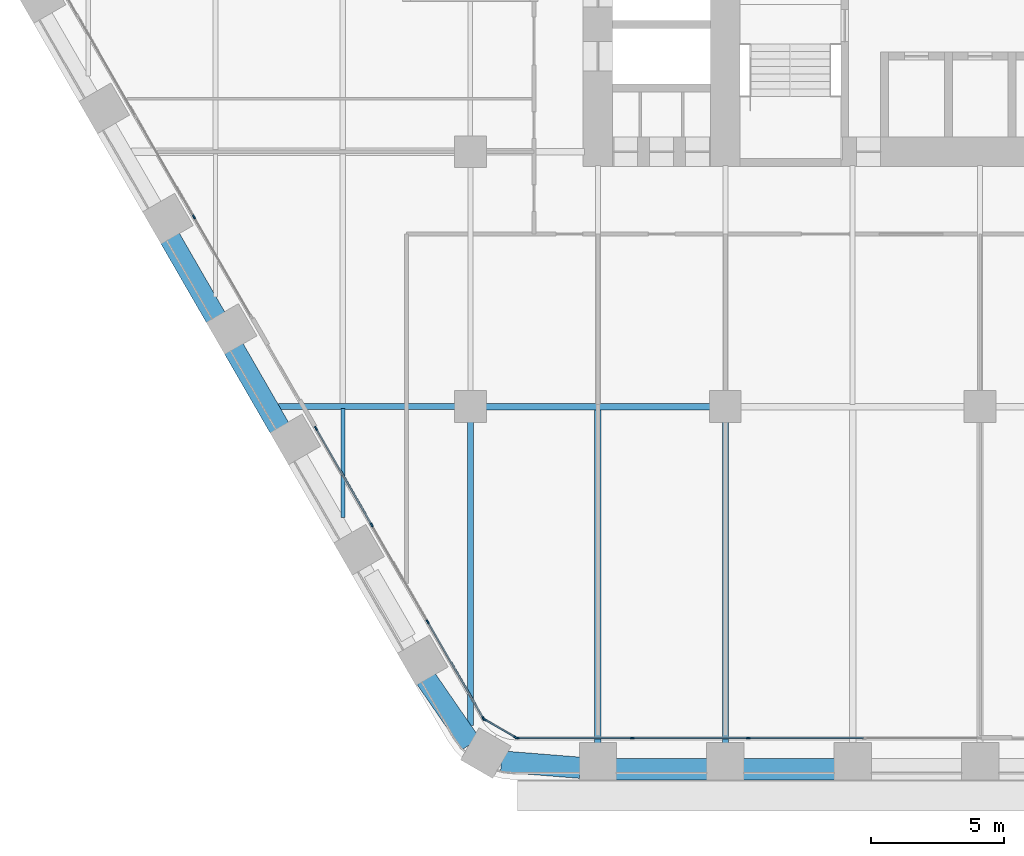
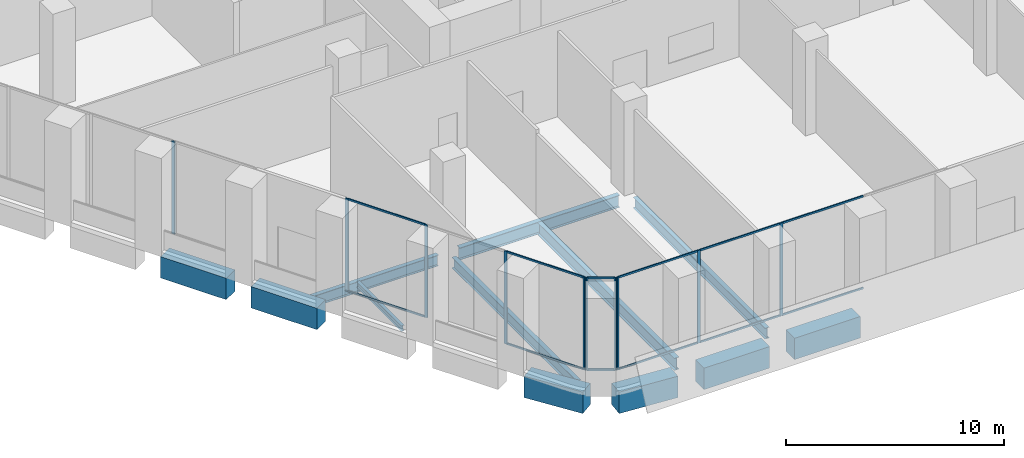
# One storey, part 2 of 29: 22 members, 12 beams, 4 elements without a shape of their own.
"""IFC4 building model written with IfcOpenShell, lengths in metres."""

from ifc_helpers import new_model, si_unit, direction, frame, origin, origin_2d, place, context, subcontext, project, spatial, rectangle, i_section, extrude, material, material_profile, profile_set, type_object, element, aggregate, save


model = new_model("IFC4")

# Units and contexts
model_context = context("Model", 3, precision=1e-05, world=origin(), true_north=direction((0.0, 1.0)))
body_context = subcontext(model_context, "Body", "Model", "MODEL_VIEW")
ifc_project = project(units=[si_unit("LENGTHUNIT", "METRE"), si_unit("AREAUNIT", "SQUARE_METRE"), si_unit("VOLUMEUNIT", "CUBIC_METRE"), si_unit("PLANEANGLEUNIT", "RADIAN"), si_unit("MASSUNIT", "GRAM", prefix="KILO")], contexts=[model_context])

# Site, building, storey
site_placement = place(None, origin())
site = spatial("IfcSite", under=ifc_project, at=site_placement, CompositionType="ELEMENT")
building_placement = place(site_placement, origin())
building = spatial("IfcBuilding", under=site, at=building_placement, Name="Kolab Exchange Tower", CompositionType="ELEMENT")
storey_placement = place(building_placement, frame((0.0, 0.0, 33.39990234375)))
storey = spatial("IfcBuildingStorey", under=building, at=storey_placement, Name="L06", CompositionType="ELEMENT", Elevation=33.39990234375)

# Beams
ifc_material_1 = material(Name="Steel S355", Category="steel")
ifc_material_profile_1 = material_profile(ifc_material_1, i_section(OverallWidth=0.1650390625, OverallDepth=0.31005859375, WebThickness=0.005859375, FlangeThickness=0.009765625, at=origin_2d()), Name="W310X39")
ifc_profile_set_1 = profile_set([ifc_material_profile_1], Name="Steel S355")
beam_type_1 = type_object("IfcBeamType", Name="FLOOR BEAM W310X39", PredefinedType="BEAM", material=ifc_profile_set_1)
beam_1_placement = place(storey_placement, frame((-24.0, -23.381591796875, -0.40478515625), z_axis=(0.0, 1.0, 0.0), x_axis=(-1.0, 0.0, 0.0)))
element("IfcBeam", 1, at=beam_1_placement, inside=storey, type_object=beam_type_1, Name="beam/L06/fr/006", PredefinedType="BEAM", context=body_context, shape_type="SweptSolid", body=[
    extrude(i_section(OverallWidth=0.1650390625, OverallDepth=0.31005859375, WebThickness=0.005859375, FlangeThickness=0.009765625, at=origin_2d()), origin(), (0.0, 0.0, 1.0), 4.107666015625),
])
ifc_material_profile_2 = material_profile(ifc_material_1, i_section(OverallWidth=0.22802734375, OverallDepth=0.60791015625, WebThickness=0.01123046875, FlangeThickness=0.017333984375, at=origin_2d()), Name="W610X113")
ifc_profile_set_2 = profile_set([ifc_material_profile_2], Name="Steel S355")
beam_type_2 = type_object("IfcBeamType", Name="FLOOR BEAM W610X113", PredefinedType="BEAM", material=ifc_profile_set_2)
beam_2_placement = place(storey_placement, frame((-19.199951171875, -31.214599609375, -0.553955078125), z_axis=(0.0, 1.0, 0.0), x_axis=(-1.0, 0.0, 0.0)))
element("IfcBeam", 2, at=beam_2_placement, inside=storey, type_object=beam_type_2, Name="beam/L06/fr/012", PredefinedType="BEAM", context=body_context, shape_type="SweptSolid", body=[
    extrude(i_section(OverallWidth=0.22802734375, OverallDepth=0.60791015625, WebThickness=0.01123046875, FlangeThickness=0.017333984375, at=origin_2d()), origin(), (0.0, 0.0, 1.0), 11.45458984375),
])
beam_3_placement = place(storey_placement, frame((-9.60009765625, -31.8955078125, -0.553955078125), z_axis=(0.0, 1.0, 0.0), x_axis=(-1.0, 0.0, 0.0)))
element("IfcBeam", 3, at=beam_3_placement, inside=storey, type_object=beam_type_2, Name="beam/L06/fr/022", PredefinedType="BEAM", context=body_context, shape_type="SweptSolid", body=[
    extrude(i_section(OverallWidth=0.22802734375, OverallDepth=0.60791015625, WebThickness=0.01123046875, FlangeThickness=0.017333984375, at=origin_2d()), origin(), (0.0, 0.0, 1.0), 12.135498046875),
])
ifc_material_profile_3 = material_profile(ifc_material_1, i_section(OverallWidth=0.25390625, OverallDepth=0.68408203125, WebThickness=0.012451171875, FlangeThickness=0.018798828125, at=origin_2d()), Name="W690X140")
ifc_profile_set_3 = profile_set([ifc_material_profile_3], Name="Steel S355")
beam_type_3 = type_object("IfcBeamType", Name="FLOOR BEAM W690X140", PredefinedType="BEAM", material=ifc_profile_set_3)
beam_4_placement = place(storey_placement, frame((-14.39990234375, -31.8955078125, -0.591796875), z_axis=(0.0, 1.0, 0.0), x_axis=(-1.0, 0.0, 0.0)))
element("IfcBeam", 4, at=beam_4_placement, inside=storey, type_object=beam_type_3, Name="beam/L06/fr/018", PredefinedType="BEAM", context=body_context, shape_type="SweptSolid", body=[
    extrude(i_section(OverallWidth=0.25390625, OverallDepth=0.68408203125, WebThickness=0.012451171875, FlangeThickness=0.018798828125, at=origin_2d()), origin(), (0.0, 0.0, 1.0), 12.6083984375),
])
ifc_material_profile_4 = material_profile(ifc_material_1, i_section(OverallWidth=0.22802734375, OverallDepth=0.60791015625, WebThickness=0.01123046875, FlangeThickness=0.017333984375, at=origin_2d()), Name="W610X113")
ifc_profile_set_4 = profile_set([ifc_material_profile_4], Name="Steel S355")
beam_type_4 = type_object("IfcBeamType", Name="FLOOR GIRDER W610X113", PredefinedType="BEAM", material=ifc_profile_set_4)
beam_5_placement = place(storey_placement, frame((-26.43115234375, -19.199951171875, -0.553955078125), z_axis=(1.0, 0.0, 0.0), x_axis=(0.0, 1.0, 0.0)))
element("IfcBeam", 5, at=beam_5_placement, inside=storey, type_object=beam_type_4, Name="beam/L06/gd/004", PredefinedType="BEAM", context=body_context, shape_type="SweptSolid", body=[
    extrude(i_section(OverallWidth=0.22802734375, OverallDepth=0.60791015625, WebThickness=0.01123046875, FlangeThickness=0.017333984375, at=origin_2d()), origin(), (0.0, 0.0, 1.0), 6.671142578125),
])
ifc_material_profile_5 = material_profile(ifc_material_1, i_section(OverallWidth=0.25390625, OverallDepth=0.68408203125, WebThickness=0.012451171875, FlangeThickness=0.018798828125, at=origin_2d()), Name="W690X140")
ifc_profile_set_5 = profile_set([ifc_material_profile_5], Name="Steel S355")
beam_type_5 = type_object("IfcBeamType", Name="FLOOR GIRDER W690X140", PredefinedType="BEAM", material=ifc_profile_set_5)
beam_6_placement = place(storey_placement, frame((-18.639892578125, -19.199951171875, -0.591796875), z_axis=(1.0, 0.0, 0.0), x_axis=(0.0, 1.0, 0.0)))
element("IfcBeam", 6, at=beam_6_placement, inside=storey, type_object=beam_type_5, Name="beam/L06/gd/006", PredefinedType="BEAM", context=body_context, shape_type="SweptSolid", body=[
    extrude(i_section(OverallWidth=0.25390625, OverallDepth=0.68408203125, WebThickness=0.012451171875, FlangeThickness=0.018798828125, at=origin_2d()), origin(), (0.0, 0.0, 1.0), 8.47998046875),
])
ifc_material_2 = material(Name="Concrete C80/95", Category="concrete")
ifc_material_profile_6 = material_profile(ifc_material_2, rectangle(XDim=0.800048828125, YDim=1.199951171875, at=origin_2d()), Name="RC800X1200")
ifc_profile_set_6 = profile_set([ifc_material_profile_6], Name="Concrete C80/95")
beam_type_6 = type_object("IfcBeamType", Name="SPANDREL BEAM 800X1200 C80/95", PredefinedType="BEAM", material=ifc_profile_set_6)
for number, where, z_axis, x_axis, name in (
    (7, (-5.4599609375, -32.85546875, -0.849853515625), (-1.0, 0.0, 0.0), (0.0, -1.0, 0.0), "beam/L06/sp/F4-06"),
    (8, (-10.260009765625, -32.85546875, -0.849853515625), (-1.0, 0.0, 0.0), (0.0, -1.0, 0.0), "beam/L06/sp/F4-07"),
):
    element("IfcBeam", number, at=place(storey_placement, frame(where, z_axis=z_axis, x_axis=x_axis)), inside=storey, type_object=beam_type_6, Name=name, PredefinedType="BEAM", context=body_context, shape_type="SweptSolid", body=[
        extrude(rectangle(XDim=0.800048828125, YDim=1.199951171875, at=origin_2d()), origin(), (0.0, 0.0, 1.0), 3.47998046875),
    ])
beam_7_placement = place(storey_placement, frame((-15.06005859375, -32.802734375, -0.849853515625), z_axis=(-0.996833978278, 0.07951112973, 0.0), x_axis=(-0.07951112973, -0.996833978278, 0.0)))
element("IfcBeam", 9, at=beam_7_placement, inside=storey, type_object=beam_type_6, Name="beam/L06/sp/F4-08", PredefinedType="BEAM", context=body_context, shape_type="SweptSolid", body=[
    extrude(rectangle(XDim=0.800048828125, YDim=1.199951171875, at=origin_2d()), origin(), (0.0, 0.0, 1.0), 2.984619140625),
])
beam_8_placement = place(storey_placement, frame((-19.18505859375, -31.901611328125, -0.849853515625), z_axis=(-0.567247290755, 0.823547516013, 0.0), x_axis=(-0.823547516013, -0.567247290755, 0.0)))
element("IfcBeam", 10, at=beam_8_placement, inside=storey, type_object=beam_type_6, Name="beam/L06/sp/F5-01", PredefinedType="BEAM", context=body_context, shape_type="SweptSolid", body=[
    extrude(rectangle(XDim=0.800048828125, YDim=1.199951171875, at=origin_2d()), origin(), (0.0, 0.0, 1.0), 2.984375),
])
beam_9_placement = place(storey_placement, frame((-26.383544921875, -20.012939453125, -0.849853515625), z_axis=(-0.500009906705, 0.86601968407, 0.0), x_axis=(-0.86601968407, -0.500009906705, 0.0)))
element("IfcBeam", 11, at=beam_9_placement, inside=storey, type_object=beam_type_6, Name="beam/L06/sp/F5-04", PredefinedType="BEAM", context=body_context, shape_type="SweptSolid", body=[
    extrude(rectangle(XDim=0.800048828125, YDim=1.199951171875, at=origin_2d()), origin(), (0.0, 0.0, 1.0), 3.47998046875),
])
beam_10_placement = place(storey_placement, frame((-28.78369140625, -15.856201171875, -0.849853515625), z_axis=(-0.499979528911, 0.866037222451, 0.0), x_axis=(-0.866037222451, -0.499979528911, 0.0)))
element("IfcBeam", 12, at=beam_10_placement, inside=storey, type_object=beam_type_6, Name="beam/L06/sp/F5-05", PredefinedType="BEAM", context=body_context, shape_type="SweptSolid", body=[
    extrude(rectangle(XDim=0.800048828125, YDim=1.199951171875, at=origin_2d()), origin(), (0.0, 0.0, 1.0), 3.480224609375),
])

# Curtain wall, members
ifc_material_3 = material(Name="Aluminium EN AW-6063 T6", Category="aluminium")
curtain_wall_type = type_object("IfcCurtainWallType", Name="UNITISED LOW ZONE CURTAIN WALL", PredefinedType="NOTDEFINED", material=ifc_material_3)
curtain_wall_1_placement = place(storey_placement, origin())
curtain_wall_1 = element("IfcCurtainWall", 13, at=curtain_wall_1_placement, inside=storey, type_object=curtain_wall_type, Name="cw/L06/F4-2", PredefinedType="NOTDEFINED")
ifc_material_profile_7 = material_profile(ifc_material_3, rectangle(XDim=0.06005859375, YDim=0.159912109375, at=origin_2d()), Name="RECT 60X160")
ifc_profile_set_7 = profile_set([ifc_material_profile_7], Name="Aluminium EN AW-6063 T6")
member_type_1 = type_object("IfcMemberType", Name="UNITISED LOW ZONE MULLION 60 X 160", PredefinedType="MULLION", material=ifc_profile_set_7)
member_1_placement = place(storey_placement, frame((-8.73388671875, -31.67529296875, 0.0), z_axis=(0.0, 0.0, 1.0), x_axis=(0.0, -1.0, 0.0)))
member_1 = element("IfcMember", 14, at=member_1_placement, type_object=member_type_1, Name="CW1 mullion 3", PredefinedType="MULLION", context=body_context, shape_type="SweptSolid", body=[
    extrude(rectangle(XDim=0.06005859375, YDim=0.159912109375, at=origin_2d()), origin(), (0.0, 0.0, 1.0), 5.2001953125),
])
member_2_placement = place(storey_placement, frame((-13.10107421875, -31.67529296875, 0.0), z_axis=(0.0, 0.0, 1.0), x_axis=(0.0, -1.0, 0.0)))
member_2 = element("IfcMember", 15, at=member_2_placement, type_object=member_type_1, Name="CW1 mullion 4", PredefinedType="MULLION", context=body_context, shape_type="SweptSolid", body=[
    extrude(rectangle(XDim=0.06005859375, YDim=0.159912109375, at=origin_2d()), origin(), (0.0, 0.0, 1.0), 5.2001953125),
])
member_3_placement = place(storey_placement, frame((-17.43798828125, -31.67529296875, 0.0), z_axis=(0.0, 0.0, 1.0), x_axis=(0.0, -1.0, 0.0)))
member_3 = element("IfcMember", 16, at=member_3_placement, type_object=member_type_1, Name="CW1 mullion 5", PredefinedType="MULLION", context=body_context, shape_type="SweptSolid", body=[
    extrude(rectangle(XDim=0.06005859375, YDim=0.159912109375, at=origin_2d()), origin(), (0.0, 0.0, 1.0), 5.2001953125),
])

curtain_wall_2_placement = place(storey_placement, origin())
curtain_wall_2 = element("IfcCurtainWall", 17, at=curtain_wall_2_placement, inside=storey, type_object=curtain_wall_type, Name="cw/L06/F5-1", PredefinedType="NOTDEFINED")
member_4_placement = place(storey_placement, frame((-18.712646484375, -30.939453125, 0.0), z_axis=(0.0, 0.0, 1.0), x_axis=(-0.866025393644, -0.500000017564, 0.0)))
member_4 = element("IfcMember", 18, at=member_4_placement, type_object=member_type_1, Name="CW1 mullion 1", PredefinedType="MULLION", context=body_context, shape_type="SweptSolid", body=[
    extrude(rectangle(XDim=0.06005859375, YDim=0.159912109375, at=origin_2d()), origin(), (0.0, 0.0, 1.0), 5.2001953125),
])
member_5_placement = place(storey_placement, frame((-20.80908203125, -27.308349609375, 0.0), z_axis=(0.0, 0.0, 1.0), x_axis=(-0.866025393644, -0.500000017564, 0.0)))
member_5 = element("IfcMember", 19, at=member_5_placement, type_object=member_type_1, Name="CW1 mullion 2", PredefinedType="MULLION", context=body_context, shape_type="SweptSolid", body=[
    extrude(rectangle(XDim=0.06005859375, YDim=0.159912109375, at=origin_2d()), origin(), (0.0, 0.0, 1.0), 5.2001953125),
])
member_6_placement = place(storey_placement, frame((-22.92041015625, -23.651611328125, 0.0), z_axis=(0.0, 0.0, 1.0), x_axis=(-0.866025393644, -0.500000017564, 0.0)))
member_6 = element("IfcMember", 20, at=member_6_placement, type_object=member_type_1, Name="CW1 mullion 3", PredefinedType="MULLION", context=body_context, shape_type="SweptSolid", body=[
    extrude(rectangle(XDim=0.06005859375, YDim=0.159912109375, at=origin_2d()), origin(), (0.0, 0.0, 1.0), 5.2001953125),
])
member_7_placement = place(storey_placement, frame((-25.0166015625, -20.0205078125, 0.0), z_axis=(0.0, 0.0, 1.0), x_axis=(-0.866025393644, -0.500000017564, 0.0)))
member_7 = element("IfcMember", 21, at=member_7_placement, type_object=member_type_1, Name="CW1 mullion 4", PredefinedType="MULLION", context=body_context, shape_type="SweptSolid", body=[
    extrude(rectangle(XDim=0.06005859375, YDim=0.159912109375, at=origin_2d()), origin(), (0.0, 0.0, 1.0), 5.2001953125),
])

# Curtain wall, member
curtain_wall_3_placement = place(storey_placement, origin())
curtain_wall_3 = element("IfcCurtainWall", 22, at=curtain_wall_3_placement, inside=storey, type_object=curtain_wall_type, Name="cw/L06/F5-2", PredefinedType="NOTDEFINED")
member_8_placement = place(storey_placement, frame((-29.615234375, -12.0556640625, 0.0), z_axis=(0.0, 0.0, 1.0), x_axis=(-0.866025422102, -0.499999968274, 0.0)))
member_8 = element("IfcMember", 23, at=member_8_placement, type_object=member_type_1, Name="CW1 mullion 2", PredefinedType="MULLION", context=body_context, shape_type="SweptSolid", body=[
    extrude(rectangle(XDim=0.06005859375, YDim=0.159912109375, at=origin_2d()), origin(), (0.0, 0.0, 1.0), 5.2001953125),
])
aggregate(curtain_wall_3, [member_8])

# Curtain wall, members
curtain_wall_4_placement = place(storey_placement, origin())
curtain_wall_4 = element("IfcCurtainWall", 24, at=curtain_wall_4_placement, inside=storey, type_object=curtain_wall_type, Name="cw/L06/F4F5-corner", PredefinedType="NOTDEFINED")
member_9_placement = place(storey_placement, frame((-17.493896484375, -31.660400390625, 0.0), z_axis=(0.0, 0.0, 1.0), x_axis=(-0.50000002237, -0.866025390869, 0.0)))
member_9 = element("IfcMember", 25, at=member_9_placement, type_object=member_type_1, Name="CW1 mullion 1", PredefinedType="MULLION", context=body_context, shape_type="SweptSolid", body=[
    extrude(rectangle(XDim=0.06005859375, YDim=0.159912109375, at=origin_2d()), origin(), (0.0, 0.0, 1.0), 5.2001953125),
])
member_10_placement = place(storey_placement, frame((-18.671630859375, -30.98046875, 0.0), z_axis=(0.0, 0.0, 1.0), x_axis=(-0.50000002237, -0.866025390869, 0.0)))
member_10 = element("IfcMember", 26, at=member_10_placement, type_object=member_type_1, Name="CW1 mullion 2", PredefinedType="MULLION", context=body_context, shape_type="SweptSolid", body=[
    extrude(rectangle(XDim=0.06005859375, YDim=0.159912109375, at=origin_2d()), origin(), (0.0, 0.0, 1.0), 5.2001953125),
])

# Member
ifc_material_profile_8 = material_profile(ifc_material_3, rectangle(XDim=0.06005859375, YDim=0.10009765625, at=origin_2d()), Name="RECT 60X100")
ifc_profile_set_8 = profile_set([ifc_material_profile_8], Name="Aluminium EN AW-6063 T6")
member_type_2 = type_object("IfcMemberType", Name="UNITISED LOW ZONE TRANSOM 60 X 100", PredefinedType="USERDEFINED", material=ifc_profile_set_8)
member_11_placement = place(storey_placement, frame((-4.39697265625, -31.67529296875, 0.030029296875), z_axis=(-1.0, 0.0, 0.0), x_axis=(0.0, -1.0, 0.0)))
member_11 = element("IfcMember", 27, at=member_11_placement, type_object=member_type_2, Name="CW1 transom 2.1", ObjectType="TRANSOM", PredefinedType="USERDEFINED", context=body_context, shape_type="SweptSolid", body=[
    extrude(rectangle(XDim=0.06005859375, YDim=0.10009765625, at=origin_2d()), origin(), (0.0, 0.0, 1.0), 4.306884765625),
])

member_12_placement = place(storey_placement, frame((-4.39697265625, -31.67529296875, 5.170166015625), z_axis=(-1.0, 0.0, 0.0), x_axis=(0.0, -1.0, 0.0)))
member_12 = element("IfcMember", 28, at=member_12_placement, type_object=member_type_2, Name="CW1 transom 2.2", ObjectType="TRANSOM", PredefinedType="USERDEFINED", context=body_context, shape_type="SweptSolid", body=[
    extrude(rectangle(XDim=0.06005859375, YDim=0.10009765625, at=origin_2d()), origin(), (0.0, 0.0, 1.0), 4.306884765625),
])

member_13_placement = place(storey_placement, frame((-8.763916015625, -31.67529296875, 0.030029296875), z_axis=(-1.0, 0.0, 0.0), x_axis=(0.0, -1.0, 0.0)))
member_13 = element("IfcMember", 29, at=member_13_placement, type_object=member_type_2, Name="CW1 transom 3.1", ObjectType="TRANSOM", PredefinedType="USERDEFINED", context=body_context, shape_type="SweptSolid", body=[
    extrude(rectangle(XDim=0.06005859375, YDim=0.10009765625, at=origin_2d()), origin(), (0.0, 0.0, 1.0), 4.30712890625),
])

member_14_placement = place(storey_placement, frame((-8.763916015625, -31.67529296875, 5.170166015625), z_axis=(-1.0, 0.0, 0.0), x_axis=(0.0, -1.0, 0.0)))
member_14 = element("IfcMember", 30, at=member_14_placement, type_object=member_type_2, Name="CW1 transom 3.2", ObjectType="TRANSOM", PredefinedType="USERDEFINED", context=body_context, shape_type="SweptSolid", body=[
    extrude(rectangle(XDim=0.06005859375, YDim=0.10009765625, at=origin_2d()), origin(), (0.0, 0.0, 1.0), 4.30712890625),
])

member_15_placement = place(storey_placement, frame((-13.130859375, -31.67529296875, 0.030029296875), z_axis=(-1.0, 0.0, 0.0), x_axis=(0.0, -1.0, 0.0)))
member_15 = element("IfcMember", 31, at=member_15_placement, type_object=member_type_2, Name="CW1 transom 4.1", ObjectType="TRANSOM", PredefinedType="USERDEFINED", context=body_context, shape_type="SweptSolid", body=[
    extrude(rectangle(XDim=0.06005859375, YDim=0.10009765625, at=origin_2d()), origin(), (0.0, 0.0, 1.0), 4.277099609375),
])

member_16_placement = place(storey_placement, frame((-13.130859375, -31.67529296875, 5.170166015625), z_axis=(-1.0, 0.0, 0.0), x_axis=(0.0, -1.0, 0.0)))
member_16 = element("IfcMember", 32, at=member_16_placement, type_object=member_type_2, Name="CW1 transom 4.2", ObjectType="TRANSOM", PredefinedType="USERDEFINED", context=body_context, shape_type="SweptSolid", body=[
    extrude(rectangle(XDim=0.06005859375, YDim=0.10009765625, at=origin_2d()), origin(), (0.0, 0.0, 1.0), 4.277099609375),
])

aggregate(curtain_wall_1, [member_1, member_2, member_3, member_11, member_12, member_13, member_14, member_15, member_16])

member_17_placement = place(storey_placement, frame((-18.727783203125, -30.913330078125, 0.030029296875), z_axis=(-0.499983268986, 0.866035063224, 0.0), x_axis=(-0.866035063224, -0.499983268986, 0.0)))
member_17 = element("IfcMember", 33, at=member_17_placement, type_object=member_type_2, Name="CW1 transom 1.1", ObjectType="TRANSOM", PredefinedType="USERDEFINED", context=body_context, shape_type="SweptSolid", body=[
    extrude(rectangle(XDim=0.06005859375, YDim=0.10009765625, at=origin_2d()), origin(), (0.0, 0.0, 1.0), 4.132568359375),
])

member_18_placement = place(storey_placement, frame((-18.727783203125, -30.913330078125, 5.170166015625), z_axis=(-0.499983268986, 0.866035063224, 0.0), x_axis=(-0.866035063224, -0.499983268986, 0.0)))
member_18 = element("IfcMember", 34, at=member_18_placement, type_object=member_type_2, Name="CW1 transom 1.2", ObjectType="TRANSOM", PredefinedType="USERDEFINED", context=body_context, shape_type="SweptSolid", body=[
    extrude(rectangle(XDim=0.06005859375, YDim=0.10009765625, at=origin_2d()), origin(), (0.0, 0.0, 1.0), 4.132568359375),
])

member_19_placement = place(storey_placement, frame((-22.935302734375, -23.62548828125, 0.030029296875), z_axis=(-0.500027577057, 0.866009481578, 0.0), x_axis=(-0.866009481578, -0.500027577057, 0.0)))
member_19 = element("IfcMember", 35, at=member_19_placement, type_object=member_type_2, Name="CW1 transom 3.1", ObjectType="TRANSOM", PredefinedType="USERDEFINED", context=body_context, shape_type="SweptSolid", body=[
    extrude(rectangle(XDim=0.06005859375, YDim=0.10009765625, at=origin_2d()), origin(), (0.0, 0.0, 1.0), 4.132568359375),
])

member_20_placement = place(storey_placement, frame((-22.935302734375, -23.62548828125, 5.170166015625), z_axis=(-0.500027577057, 0.866009481578, 0.0), x_axis=(-0.866009481578, -0.500027577057, 0.0)))
member_20 = element("IfcMember", 36, at=member_20_placement, type_object=member_type_2, Name="CW1 transom 3.2", ObjectType="TRANSOM", PredefinedType="USERDEFINED", context=body_context, shape_type="SweptSolid", body=[
    extrude(rectangle(XDim=0.06005859375, YDim=0.10009765625, at=origin_2d()), origin(), (0.0, 0.0, 1.0), 4.132568359375),
])

aggregate(curtain_wall_2, [member_4, member_5, member_6, member_7, member_17, member_18, member_19, member_20])

member_21_placement = place(storey_placement, frame((-17.52001953125, -31.645263671875, 0.030029296875), z_axis=(-0.86603858612, 0.49997716683, 0.0), x_axis=(-0.49997716683, -0.86603858612, 0.0)))
member_21 = element("IfcMember", 37, at=member_21_placement, type_object=member_type_2, Name="CW1 transom 1.1", ObjectType="TRANSOM", PredefinedType="USERDEFINED", context=body_context, shape_type="SweptSolid", body=[
    extrude(rectangle(XDim=0.06005859375, YDim=0.10009765625, at=origin_2d()), origin(), (0.0, 0.0, 1.0), 1.2998046875),
])

member_22_placement = place(storey_placement, frame((-17.52001953125, -31.645263671875, 5.170166015625), z_axis=(-0.86603858612, 0.49997716683, 0.0), x_axis=(-0.49997716683, -0.86603858612, 0.0)))
member_22 = element("IfcMember", 38, at=member_22_placement, type_object=member_type_2, Name="CW1 transom 1.2", ObjectType="TRANSOM", PredefinedType="USERDEFINED", context=body_context, shape_type="SweptSolid", body=[
    extrude(rectangle(XDim=0.06005859375, YDim=0.10009765625, at=origin_2d()), origin(), (0.0, 0.0, 1.0), 1.2998046875),
])

aggregate(curtain_wall_4, [member_9, member_10, member_21, member_22])

save(model, "model.ifc")
